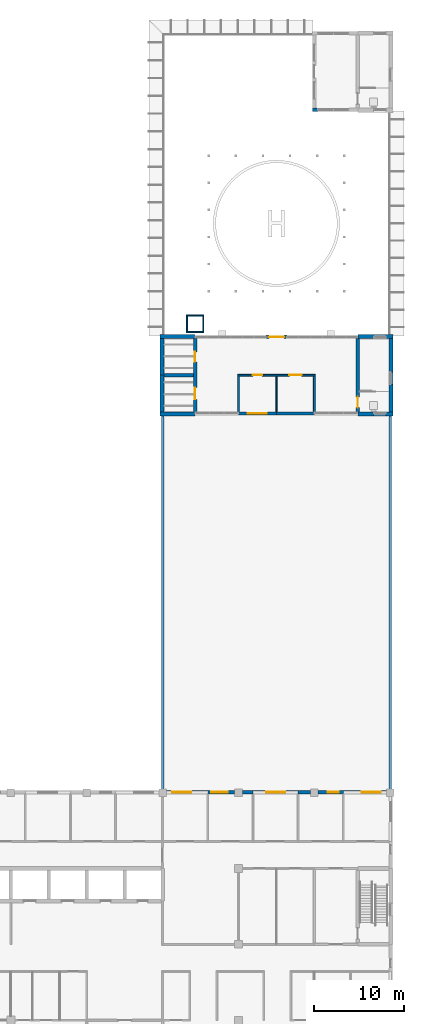
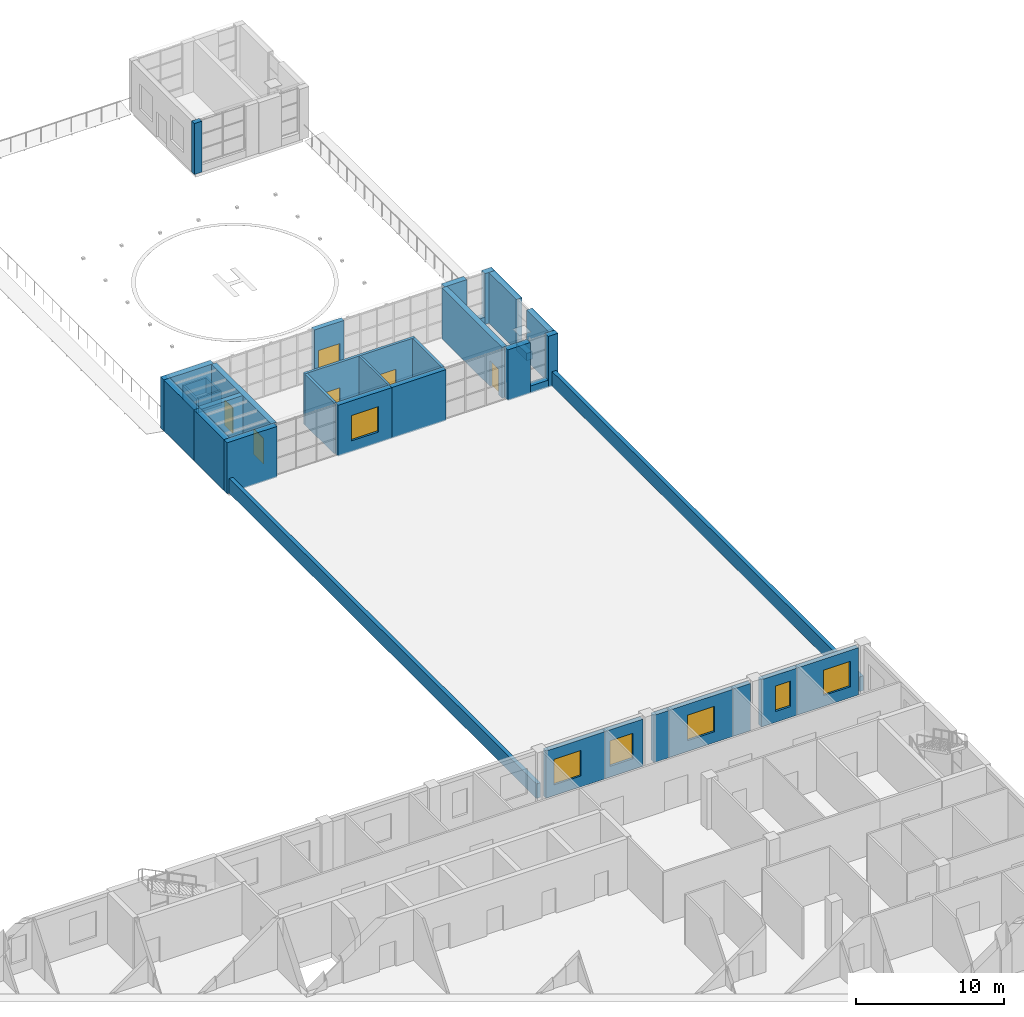
# One storey, part 49 of 66: 37 walls, 6 doors, 6 windows, 12 openings.
"""IFC4 building model written with IfcOpenShell, lengths in metres."""

from ifc_helpers import new_model, si_unit, direction, frame, frame_2d, origin, place, context, subcontext, project, spatial, rectangle, extrude, material, layer, layer_set, type_object, element, fill, save


model = new_model("IFC4")

# Units and contexts
model_context = context("Model", 3, precision=1e-05, world=origin(), true_north=direction((0.0, 1.0)))
body_context = subcontext(model_context, "Body", "Model", "MODEL_VIEW")
ifc_project = project(units=[si_unit("LENGTHUNIT", "METRE"), si_unit("AREAUNIT", "SQUARE_METRE"), si_unit("VOLUMEUNIT", "CUBIC_METRE"), si_unit("PLANEANGLEUNIT", "RADIAN"), si_unit("MASSUNIT", "GRAM", prefix="KILO")], contexts=[model_context])

# Site, building, storey
site_placement = place(None, origin())
site = spatial("IfcSite", under=ifc_project, at=site_placement, CompositionType="ELEMENT")
building_placement = place(site_placement, origin())
building = spatial("IfcBuilding", under=site, at=building_placement, Name="Yavir Park General Hospital", CompositionType="ELEMENT")
storey_placement = place(building_placement, frame((0.0, 0.0, 8.39990234375)))
storey = spatial("IfcBuildingStorey", under=building, at=storey_placement, Name="L02", CompositionType="ELEMENT", Elevation=8.39990234375)

# Wall, openings, doors
ifc_material_1 = material(Name="Double gypsum board fire partition on steel studs", Category="steel")
ifc_layer_1 = layer(ifc_material_1, 0.199951171875)
ifc_layer_set_1 = layer_set([ifc_layer_1], Name="Double gypsum board fire partition on steel studs")
wall_type_1 = type_object("IfcWallType", Name="Fire-rated partition 200, EI 60", PredefinedType="PARTITIONING", material=ifc_layer_set_1)
wall_1_placement = place(storey_placement, frame((151.10009765625, 79.800048828125, 0.0), z_axis=(0.0, 0.0, 1.0), x_axis=(1.0, 0.0, 0.0)))
wall_1 = element("IfcWall", 1, at=wall_1_placement, inside=storey, type_object=wall_type_1, Name="FP20 L02-122", PredefinedType="PARTITIONING", context=body_context, shape_type="SweptSolid", body=[
    extrude(rectangle(XDim=8.599853515625, YDim=0.199951171875, at=frame_2d((4.2998046875, 0.0))), origin(), (0.0, 0.0, 1.0), 4.2001953125),
])
opening_1_placement = place(wall_1_placement, frame((1.64990234375, 0.0, 0.0)))
opening_1 = element("IfcOpeningElement", 2, at=opening_1_placement, cuts=wall_1, Name="Opening L02.D103", PredefinedType="OPENING", context=body_context, shape_type="SweptSolid", body=[
    extrude(rectangle(XDim=1.10009765625, YDim=2.10009765625, at=frame_2d((0.550048828125, 1.050048828125))), frame((0.0, 0.10986328125, 0.0), z_axis=(0.0, -1.0, 0.0), x_axis=(1.0, 0.0, 0.0)), (0.0, 0.0, 1.0), 0.219970703125),
])
opening_2_placement = place(wall_1_placement, frame((5.699951171875, 0.0, 0.0)))
opening_2 = element("IfcOpeningElement", 3, at=opening_2_placement, cuts=wall_1, Name="Opening L02.D104", PredefinedType="OPENING", context=body_context, shape_type="SweptSolid", body=[
    extrude(rectangle(XDim=1.39990234375, YDim=2.10009765625, at=frame_2d((0.699951171875, 1.050048828125))), frame((0.0, 0.10986328125, 0.0), z_axis=(0.0, -1.0, 0.0), x_axis=(1.0, 0.0, 0.0)), (0.0, 0.0, 1.0), 0.219970703125),
])
ifc_material_2 = material(Name="Steel frame, fire-resisting timber leaves", Category="steel")
door_type_1 = type_object("IfcDoorType", Name="Double fire door 1400 x 2100, EI 60", OperationType="DOUBLE_DOOR_SINGLE_SWING", PredefinedType="DOOR", material=ifc_material_2)
door_1_placement = place(opening_2_placement, origin())
door_1 = element("IfcDoor", 4, at=door_1_placement, inside=storey, type_object=door_type_1, Name="L02.D104", OperationType="SINGLE_SWING_LEFT", OverallHeight=2.10009765625, OverallWidth=1.39990234375, PredefinedType="DOOR", context=body_context, shape_type="SweptSolid", body=[
    extrude(rectangle(XDim=1.39990234375, YDim=2.10009765625, at=frame_2d((0.699951171875, 1.050048828125))), frame((0.0, 0.02490234375, 0.0), z_axis=(0.0, -1.0, 0.0), x_axis=(1.0, 0.0, 0.0)), (0.0, 0.0, 1.0), 0.050048828125),
])
fill(opening_2, door_1)
ifc_material_3 = material(Name="Steel frame, fire-resisting timber leaf", Category="steel")
door_type_2 = type_object("IfcDoorType", Name="Fire door 1100 x 2100, EI 60", OperationType="SINGLE_SWING_LEFT", PredefinedType="DOOR", material=ifc_material_3)
door_2_placement = place(opening_1_placement, origin())
door_2 = element("IfcDoor", 5, at=door_2_placement, inside=storey, type_object=door_type_2, Name="L02.D103", OperationType="SINGLE_SWING_LEFT", OverallHeight=2.10009765625, OverallWidth=1.10009765625, PredefinedType="DOOR", context=body_context, shape_type="SweptSolid", body=[
    extrude(rectangle(XDim=1.10009765625, YDim=2.10009765625, at=frame_2d((0.550048828125, 1.050048828125))), frame((0.0, 0.02490234375, 0.0), z_axis=(0.0, -1.0, 0.0), x_axis=(1.0, 0.0, 0.0)), (0.0, 0.0, 1.0), 0.050048828125),
])
fill(opening_1, door_2)

# Walls
for number, where, z_axis, x_axis, name in (
    (6, (151.199951171875, 75.75, 0.0), (0.0, 0.0, 1.0), (0.0, 1.0, 0.0), "FP20 L02-327"),
    (7, (159.60009765625, 75.75, 0.0), (0.0, 0.0, 1.0), (0.0, 1.0, 0.0), "FP20 L02-338"),
):
    element("IfcWall", number, at=place(storey_placement, frame(where, z_axis=z_axis, x_axis=x_axis)), inside=storey, type_object=wall_type_1, Name=name, PredefinedType="PARTITIONING", context=body_context, shape_type="SweptSolid", body=[
        extrude(rectangle(XDim=3.949951171875, YDim=0.199951171875, at=frame_2d((1.97509765625, 0.0))), origin(), (0.0, 0.0, 1.0), 4.2001953125),
    ])
ifc_material_4 = material(Name="Gypsum board partition on steel studs", Category="steel")
ifc_layer_2 = layer(ifc_material_4, 0.14990234375)
ifc_layer_set_2 = layer_set([ifc_layer_2], Name="Gypsum board partition on steel studs")
wall_type_2 = type_object("IfcWallType", Name="Gypsum board partition 150", PredefinedType="PARTITIONING", material=ifc_layer_set_2)
wall_2_placement = place(storey_placement, frame((155.39990234375, 75.75, 0.0), z_axis=(0.0, 0.0, 1.0), x_axis=(0.0, 1.0, 0.0)))
element("IfcWall", 8, at=wall_2_placement, inside=storey, type_object=wall_type_2, Name="P15 L02-332", PredefinedType="PARTITIONING", context=body_context, shape_type="SweptSolid", body=[
    extrude(rectangle(XDim=3.949951171875, YDim=0.14990234375, at=frame_2d((1.97509765625, 0.0))), origin(), (0.0, 0.0, 1.0), 4.2001953125),
])

# Wall, opening, window
ifc_material_5 = material(Name="Autoclaved aerated block, 150 mm mineral wool and sand-coloured mineral render")
ifc_layer_3 = layer(ifc_material_5, 0.375)
ifc_layer_set_3 = layer_set([ifc_layer_3], Name="Autoclaved aerated block, 150 mm mineral wool and sand-coloured mineral render")
wall_type_3 = type_object("IfcWallType", Name="Mineral render clinical wall 375, E 30", PredefinedType="SOLIDWALL", material=ifc_layer_set_3)
wall_3_placement = place(storey_placement, frame((143.22509765625, 33.637451171875, 0.0), z_axis=(0.0, 0.0, 1.0), x_axis=(1.0, 0.0, 0.0)))
wall_3 = element("IfcWall", 9, at=wall_3_placement, inside=storey, type_object=wall_type_3, Name="XW1 L02-070", PredefinedType="SOLIDWALL", context=body_context, shape_type="SweptSolid", body=[
    extrude(rectangle(XDim=4.574951171875, YDim=0.375, at=frame_2d((2.28759765625, 0.0))), origin(), (0.0, 0.0, 1.0), 3.900146484375),
])
opening_3_placement = place(wall_3_placement, frame((0.625, 0.0, 0.89990234375)))
opening_3 = element("IfcOpeningElement", 10, at=opening_3_placement, cuts=wall_3, Name="Opening WI2", PredefinedType="OPENING", context=body_context, shape_type="SweptSolid", body=[
    extrude(rectangle(XDim=2.10009765625, YDim=2.10009765625, at=frame_2d((1.050048828125, 1.050048828125))), frame((0.0, 0.197509765625, 0.0), z_axis=(0.0, -1.0, 0.0), x_axis=(1.0, 0.0, 0.0)), (0.0, 0.0, 1.0), 0.39501953125),
])
ifc_material_6 = material(Name="Aluminium frame, acoustic glazed unit", Category="aluminium")
window_type_1 = type_object("IfcWindowType", Name="Tall acoustic glazed window 2100 x 2100", PartitioningType="SINGLE_PANEL", PredefinedType="WINDOW", material=ifc_material_6)
window_1_placement = place(opening_3_placement, origin())
window_1 = element("IfcWindow", 11, at=window_1_placement, inside=storey, type_object=window_type_1, Name="WI2 L02-041", OverallHeight=2.10009765625, OverallWidth=2.10009765625, PartitioningType="SINGLE_PANEL", PredefinedType="WINDOW", context=body_context, shape_type="SweptSolid", body=[
    extrude(rectangle(XDim=2.10009765625, YDim=2.10009765625, at=frame_2d((1.050048828125, 1.050048828125))), frame((0.0, 0.044921875, 0.0), z_axis=(0.0, -1.0, 0.0), x_axis=(1.0, 0.0, 0.0)), (0.0, 0.0, 1.0), 0.090087890625),
])
fill(opening_3, window_1)

wall_4_placement = place(storey_placement, frame((147.800048828125, 33.637451171875, 0.0), z_axis=(0.0, 0.0, 1.0), x_axis=(1.0, 0.0, 0.0)))
wall_4 = element("IfcWall", 12, at=wall_4_placement, inside=storey, type_object=wall_type_3, Name="XW1 L02-071", PredefinedType="SOLIDWALL", context=body_context, shape_type="SweptSolid", body=[
    extrude(rectangle(XDim=2.974853515625, YDim=0.375, at=frame_2d((1.4873046875, 0.0))), origin(), (0.0, 0.0, 1.0), 3.900146484375),
])
opening_4_placement = place(wall_4_placement, frame((0.39990234375, 0.0, 0.89990234375)))
opening_4 = element("IfcOpeningElement", 13, at=opening_4_placement, cuts=wall_4, Name="Opening WG2", PredefinedType="OPENING", context=body_context, shape_type="SweptSolid", body=[
    extrude(rectangle(XDim=1.800048828125, YDim=2.10009765625, at=frame_2d((0.89990234375, 1.050048828125))), frame((0.0, 0.197509765625, 0.0), z_axis=(0.0, -1.0, 0.0), x_axis=(1.0, 0.0, 0.0)), (0.0, 0.0, 1.0), 0.39501953125),
])
ifc_material_7 = material(Name="Aluminium frame, double glazed unit", Category="aluminium")
window_type_2 = type_object("IfcWindowType", Name="Tall single-bay window 1800 x 2100", PartitioningType="DOUBLE_PANEL_VERTICAL", PredefinedType="WINDOW", material=ifc_material_7)
window_2_placement = place(opening_4_placement, origin())
window_2 = element("IfcWindow", 14, at=window_2_placement, inside=storey, type_object=window_type_2, Name="WG2 L02-042", OverallHeight=2.10009765625, OverallWidth=1.800048828125, PartitioningType="DOUBLE_PANEL_VERTICAL", PredefinedType="WINDOW", context=body_context, shape_type="SweptSolid", body=[
    extrude(rectangle(XDim=1.800048828125, YDim=2.10009765625, at=frame_2d((0.89990234375, 1.050048828125))), frame((0.0, 0.030029296875, 0.0), z_axis=(0.0, -1.0, 0.0), x_axis=(1.0, 0.0, 0.0)), (0.0, 0.0, 1.0), 0.06005859375),
])
fill(opening_4, window_2)

# Wall
wall_5_placement = place(storey_placement, frame((151.625, 33.637451171875, 0.0), z_axis=(0.0, 0.0, 1.0), x_axis=(1.0, 0.0, 0.0)))
element("IfcWall", 15, at=wall_5_placement, inside=storey, type_object=wall_type_3, Name="XW1 L02-072", PredefinedType="SOLIDWALL", context=body_context, shape_type="SweptSolid", body=[
    extrude(rectangle(XDim=1.175048828125, YDim=0.375, at=frame_2d((0.58740234375, 0.0))), origin(), (0.0, 0.0, 1.0), 3.900146484375),
])

# Wall, opening, window
wall_6_placement = place(storey_placement, frame((152.800048828125, 33.637451171875, 0.0), z_axis=(0.0, 0.0, 1.0), x_axis=(1.0, 0.0, 0.0)))
wall_6 = element("IfcWall", 16, at=wall_6_placement, inside=storey, type_object=wall_type_3, Name="XW1 L02-073", PredefinedType="SOLIDWALL", context=body_context, shape_type="SweptSolid", body=[
    extrude(rectangle(XDim=5.0, YDim=0.375, at=frame_2d((2.5, 0.0))), origin(), (0.0, 0.0, 1.0), 3.900146484375),
])
opening_5_placement = place(wall_6_placement, frame((1.449951171875, 0.0, 0.89990234375)))
opening_5 = element("IfcOpeningElement", 17, at=opening_5_placement, cuts=wall_6, Name="Opening WI2", PredefinedType="OPENING", context=body_context, shape_type="SweptSolid", body=[
    extrude(rectangle(XDim=2.10009765625, YDim=2.10009765625, at=frame_2d((1.050048828125, 1.050048828125))), frame((0.0, 0.197509765625, 0.0), z_axis=(0.0, -1.0, 0.0), x_axis=(1.0, 0.0, 0.0)), (0.0, 0.0, 1.0), 0.39501953125),
])
window_3_placement = place(opening_5_placement, origin())
window_3 = element("IfcWindow", 18, at=window_3_placement, inside=storey, type_object=window_type_1, Name="WI2 L02-043", OverallHeight=2.10009765625, OverallWidth=2.10009765625, PartitioningType="SINGLE_PANEL", PredefinedType="WINDOW", context=body_context, shape_type="SweptSolid", body=[
    extrude(rectangle(XDim=2.10009765625, YDim=2.10009765625, at=frame_2d((1.050048828125, 1.050048828125))), frame((0.0, 0.044921875, 0.0), z_axis=(0.0, -1.0, 0.0), x_axis=(1.0, 0.0, 0.0)), (0.0, 0.0, 1.0), 0.090087890625),
])
fill(opening_5, window_3)

# Wall
wall_7_placement = place(storey_placement, frame((157.800048828125, 33.637451171875, 0.0), z_axis=(0.0, 0.0, 1.0), x_axis=(1.0, 0.0, 0.0)))
element("IfcWall", 19, at=wall_7_placement, inside=storey, type_object=wall_type_3, Name="XW1 L02-074", PredefinedType="SOLIDWALL", context=body_context, shape_type="SweptSolid", body=[
    extrude(rectangle(XDim=1.375, YDim=0.375, at=frame_2d((0.6875, 0.0))), origin(), (0.0, 0.0, 1.0), 3.900146484375),
])

# Wall, opening, window
wall_8_placement = place(storey_placement, frame((160.02490234375, 33.637451171875, 0.0), z_axis=(0.0, 0.0, 1.0), x_axis=(1.0, 0.0, 0.0)))
wall_8 = element("IfcWall", 20, at=wall_8_placement, inside=storey, type_object=wall_type_3, Name="XW1 L02-075", PredefinedType="SOLIDWALL", context=body_context, shape_type="SweptSolid", body=[
    extrude(rectangle(XDim=2.775146484375, YDim=0.375, at=frame_2d((1.3876953125, 0.0))), origin(), (0.0, 0.0, 1.0), 3.900146484375),
])
opening_6_placement = place(wall_8_placement, frame((1.074951171875, 0.0, 0.89990234375)))
opening_6 = element("IfcOpeningElement", 21, at=opening_6_placement, cuts=wall_8, Name="Opening WD2", PredefinedType="OPENING", context=body_context, shape_type="SweptSolid", body=[
    extrude(rectangle(XDim=1.199951171875, YDim=2.10009765625, at=frame_2d((0.60009765625, 1.050048828125))), frame((0.0, 0.197509765625, 0.0), z_axis=(0.0, -1.0, 0.0), x_axis=(1.0, 0.0, 0.0)), (0.0, 0.0, 1.0), 0.39501953125),
])
ifc_material_8 = material(Name="Aluminium frame, double glazed unit", Category="aluminium")
window_type_3 = type_object("IfcWindowType", Name="Tall office window 1200 x 2100", PartitioningType="SINGLE_PANEL", PredefinedType="WINDOW", material=ifc_material_8)
window_4_placement = place(opening_6_placement, origin())
window_4 = element("IfcWindow", 22, at=window_4_placement, inside=storey, type_object=window_type_3, Name="WD2 L02-044", OverallHeight=2.10009765625, OverallWidth=1.199951171875, PartitioningType="SINGLE_PANEL", PredefinedType="WINDOW", context=body_context, shape_type="SweptSolid", body=[
    extrude(rectangle(XDim=1.199951171875, YDim=2.10009765625, at=frame_2d((0.60009765625, 1.050048828125))), frame((0.0, 0.030029296875, 0.0), z_axis=(0.0, -1.0, 0.0), x_axis=(1.0, 0.0, 0.0)), (0.0, 0.0, 1.0), 0.06005859375),
])
fill(opening_6, window_4)

wall_9_placement = place(storey_placement, frame((162.800048828125, 33.637451171875, 0.0), z_axis=(0.0, 0.0, 1.0), x_axis=(1.0, 0.0, 0.0)))
wall_9 = element("IfcWall", 23, at=wall_9_placement, inside=storey, type_object=wall_type_3, Name="XW1 L02-076", PredefinedType="SOLIDWALL", context=body_context, shape_type="SweptSolid", body=[
    extrude(rectangle(XDim=4.77490234375, YDim=0.375, at=frame_2d((2.387451171875, 0.0))), origin(), (0.0, 0.0, 1.0), 3.900146484375),
])
opening_7_placement = place(wall_9_placement, frame((2.050048828125, 0.0, 0.89990234375)))
opening_7 = element("IfcOpeningElement", 24, at=opening_7_placement, cuts=wall_9, Name="Opening WI2", PredefinedType="OPENING", context=body_context, shape_type="SweptSolid", body=[
    extrude(rectangle(XDim=2.10009765625, YDim=2.10009765625, at=frame_2d((1.050048828125, 1.050048828125))), frame((0.0, 0.197509765625, 0.0), z_axis=(0.0, -1.0, 0.0), x_axis=(1.0, 0.0, 0.0)), (0.0, 0.0, 1.0), 0.39501953125),
])
window_5_placement = place(opening_7_placement, origin())
window_5 = element("IfcWindow", 25, at=window_5_placement, inside=storey, type_object=window_type_1, Name="WI2 L02-045", OverallHeight=2.10009765625, OverallWidth=2.10009765625, PartitioningType="SINGLE_PANEL", PredefinedType="WINDOW", context=body_context, shape_type="SweptSolid", body=[
    extrude(rectangle(XDim=2.10009765625, YDim=2.10009765625, at=frame_2d((1.050048828125, 1.050048828125))), frame((0.0, 0.044921875, 0.0), z_axis=(0.0, -1.0, 0.0), x_axis=(1.0, 0.0, 0.0)), (0.0, 0.0, 1.0), 0.090087890625),
])
fill(opening_7, window_5)

wall_10_placement = place(storey_placement, frame((151.199951171875, 75.5625, 0.0), z_axis=(0.0, 0.0, 1.0), x_axis=(1.0, 0.0, 0.0)))
wall_10 = element("IfcWall", 26, at=wall_10_placement, inside=storey, type_object=wall_type_3, Name="XW1 L02-078", PredefinedType="SOLIDWALL", context=body_context, shape_type="SweptSolid", body=[
    extrude(rectangle(XDim=4.199951171875, YDim=0.375, at=frame_2d((2.10009765625, 0.0))), origin(), (0.0, 0.0, 1.0), 4.2001953125),
])
opening_8_placement = place(wall_10_placement, frame((1.050048828125, 0.0, 0.89990234375)))
opening_8 = element("IfcOpeningElement", 27, at=opening_8_placement, cuts=wall_10, Name="Opening WA2", PredefinedType="OPENING", context=body_context, shape_type="SweptSolid", body=[
    extrude(rectangle(XDim=2.10009765625, YDim=2.10009765625, at=frame_2d((1.050048828125, 1.050048828125))), frame((0.0, 0.197509765625, 0.0), z_axis=(0.0, -1.0, 0.0), x_axis=(1.0, 0.0, 0.0)), (0.0, 0.0, 1.0), 0.39501953125),
])
ifc_material_9 = material(Name="Aluminium frame, double glazed unit", Category="aluminium")
window_type_4 = type_object("IfcWindowType", Name="Tall window 2100 x 2100", PartitioningType="DOUBLE_PANEL_VERTICAL", PredefinedType="WINDOW", material=ifc_material_9)
window_6_placement = place(opening_8_placement, origin())
window_6 = element("IfcWindow", 28, at=window_6_placement, inside=storey, type_object=window_type_4, Name="WA2 L02-046", OverallHeight=2.10009765625, OverallWidth=2.10009765625, PartitioningType="DOUBLE_PANEL_VERTICAL", PredefinedType="WINDOW", context=body_context, shape_type="SweptSolid", body=[
    extrude(rectangle(XDim=2.10009765625, YDim=2.10009765625, at=frame_2d((1.050048828125, 1.050048828125))), frame((0.0, 0.030029296875, 0.0), z_axis=(0.0, -1.0, 0.0), x_axis=(1.0, 0.0, 0.0)), (0.0, 0.0, 1.0), 0.06005859375),
])
fill(opening_8, window_6)

# Wall
wall_11_placement = place(storey_placement, frame((155.39990234375, 75.5625, 0.0), z_axis=(0.0, 0.0, 1.0), x_axis=(1.0, 0.0, 0.0)))
element("IfcWall", 29, at=wall_11_placement, inside=storey, type_object=wall_type_3, Name="XW1 L02-079", PredefinedType="SOLIDWALL", context=body_context, shape_type="SweptSolid", body=[
    extrude(rectangle(XDim=4.2001953125, YDim=0.375, at=frame_2d((2.10009765625, 0.0))), origin(), (0.0, 0.0, 1.0), 4.2001953125),
])

# Wall, opening, door
wall_12_placement = place(storey_placement, frame((154.25, 84.03759765625, 0.0), z_axis=(0.0, 0.0, 1.0), x_axis=(1.0, 0.0, 0.0)))
wall_12 = element("IfcWall", 30, at=wall_12_placement, inside=storey, type_object=wall_type_3, Name="XW1 L02-084", PredefinedType="SOLIDWALL", context=body_context, shape_type="SweptSolid", body=[
    extrude(rectangle(XDim=2.300048828125, YDim=0.375, at=frame_2d((1.14990234375, 0.0))), origin(), (0.0, 0.0, 1.0), 4.2001953125),
])
opening_9_placement = place(wall_12_placement, frame((0.300048828125, 0.0, 0.0)))
opening_9 = element("IfcOpeningElement", 31, at=opening_9_placement, cuts=wall_12, Name="Opening L02.X01", PredefinedType="OPENING", context=body_context, shape_type="SweptSolid", body=[
    extrude(rectangle(XDim=1.699951171875, YDim=2.39990234375, at=frame_2d((0.85009765625, 1.199951171875))), frame((0.0, 0.197509765625, 0.0), z_axis=(0.0, -1.0, 0.0), x_axis=(1.0, 0.0, 0.0)), (0.0, 0.0, 1.0), 0.39501953125),
])
ifc_material_10 = material(Name="Hollow metal frame, solid-core timber leaf", Category="wood")
door_type_3 = type_object("IfcDoorType", Name="Double swing door 1700 x 2400", OperationType="DOUBLE_DOOR_SINGLE_SWING", PredefinedType="DOOR", material=ifc_material_10)
door_3_placement = place(opening_9_placement, origin())
door_3 = element("IfcDoor", 32, at=door_3_placement, inside=storey, type_object=door_type_3, Name="L02.X01", OperationType="SINGLE_SWING_LEFT", OverallHeight=2.39990234375, OverallWidth=1.699951171875, PredefinedType="DOOR", context=body_context, shape_type="SweptSolid", body=[
    extrude(rectangle(XDim=1.699951171875, YDim=2.39990234375, at=frame_2d((0.85009765625, 1.199951171875))), frame((0.0, 0.02490234375, 0.0), z_axis=(0.0, -1.0, 0.0), x_axis=(1.0, 0.0, 0.0)), (0.0, 0.0, 1.0), 0.050048828125),
])
fill(opening_9, door_3)

# Walls
wall_13_placement = place(storey_placement, frame((159.375, 109.16259765625, 0.0), z_axis=(0.0, 0.0, 1.0), x_axis=(1.0, 0.0, 0.0)))
element("IfcWall", 33, at=wall_13_placement, inside=storey, type_object=wall_type_3, Name="XW1 L02-088", PredefinedType="SOLIDWALL", context=body_context, shape_type="SweptSolid", body=[
    extrude(rectangle(XDim=0.60009765625, YDim=0.375, at=frame_2d((0.300048828125, 0.0))), origin(), (0.0, 0.0, 1.0), 4.2001953125),
])
ifc_material_11 = material(Name="Concrete C35/45", Category="concrete")
ifc_layer_4 = layer(ifc_material_11, 0.39990234375)
ifc_layer_set_4 = layer_set([ifc_layer_4], Name="Concrete C35/45")
wall_type_4 = type_object("IfcWallType", Name="Reinforced concrete core wall 400, REI 150", PredefinedType="SHEAR", material=ifc_layer_set_4)
wall_14_placement = place(storey_placement, frame((142.949951171875, 79.800048828125, 0.0), z_axis=(0.0, 0.0, 1.0), x_axis=(1.0, 0.0, 0.0)))
element("IfcWall", 34, at=wall_14_placement, inside=storey, type_object=wall_type_4, Name="CW40 L02-121", PredefinedType="SHEAR", context=body_context, shape_type="SweptSolid", body=[
    extrude(rectangle(XDim=3.25, YDim=0.39990234375, at=frame_2d((1.625, 0.0))), origin(), (0.0, 0.0, 1.0), 4.2001953125),
])

# Wall, openings, doors
wall_15_placement = place(storey_placement, frame((146.39990234375, 75.75, 0.0), z_axis=(0.0, 0.0, 1.0), x_axis=(0.0, 1.0, 0.0)))
wall_15 = element("IfcWall", 35, at=wall_15_placement, inside=storey, type_object=wall_type_4, Name="CW40 L02-322", PredefinedType="SHEAR", context=body_context, shape_type="SweptSolid", body=[
    extrude(rectangle(XDim=8.10009765625, YDim=0.39990234375, at=frame_2d((4.050048828125, 0.0))), origin(), (0.0, 0.0, 1.0), 4.2001953125),
])
opening_10_placement = place(wall_15_placement, frame((1.375, 0.0, 0.0)))
opening_10 = element("IfcOpeningElement", 36, at=opening_10_placement, cuts=wall_15, Name="Opening L02.D188", PredefinedType="OPENING", context=body_context, shape_type="SweptSolid", body=[
    extrude(rectangle(XDim=1.300048828125, YDim=2.10009765625, at=frame_2d((0.64990234375, 1.050048828125))), frame((0.0, 0.2099609375, 0.0), z_axis=(0.0, -1.0, 0.0), x_axis=(1.0, 0.0, 0.0)), (0.0, 0.0, 1.0), 0.419921875),
])
opening_11_placement = place(wall_15_placement, frame((5.52490234375, 0.0, 0.0)))
opening_11 = element("IfcOpeningElement", 37, at=opening_11_placement, cuts=wall_15, Name="Opening L02.D189", PredefinedType="OPENING", context=body_context, shape_type="SweptSolid", body=[
    extrude(rectangle(XDim=1.10009765625, YDim=2.10009765625, at=frame_2d((0.550048828125, 1.050048828125))), frame((0.0, 0.2099609375, 0.0), z_axis=(0.0, -1.0, 0.0), x_axis=(1.0, 0.0, 0.0)), (0.0, 0.0, 1.0), 0.419921875),
])
ifc_material_12 = material(Name="Stainless steel landing door panels", Category="steel")
door_type_4 = type_object("IfcDoorType", Name="Lift landing door 1100 x 2100, EI 60", OperationType="SLIDING_TO_LEFT", PredefinedType="DOOR", material=ifc_material_12)
door_4_placement = place(opening_11_placement, origin())
door_4 = element("IfcDoor", 38, at=door_4_placement, inside=storey, type_object=door_type_4, Name="L02.D189", OperationType="SLIDING_TO_LEFT", OverallHeight=2.10009765625, OverallWidth=1.10009765625, PredefinedType="DOOR", context=body_context, shape_type="SweptSolid", body=[
    extrude(rectangle(XDim=1.10009765625, YDim=2.10009765625, at=frame_2d((0.550048828125, 1.050048828125))), frame((0.0, 0.02490234375, 0.0), z_axis=(0.0, -1.0, 0.0), x_axis=(1.0, 0.0, 0.0)), (0.0, 0.0, 1.0), 0.050048828125),
])
fill(opening_11, door_4)
ifc_material_13 = material(Name="Stainless steel landing door panels", Category="steel")
door_type_5 = type_object("IfcDoorType", Name="Lift landing door 1300 x 2100, EI 60", OperationType="SLIDING_TO_LEFT", PredefinedType="DOOR", material=ifc_material_13)
door_5_placement = place(opening_10_placement, origin())
door_5 = element("IfcDoor", 39, at=door_5_placement, inside=storey, type_object=door_type_5, Name="L02.D188", OperationType="SLIDING_TO_LEFT", OverallHeight=2.10009765625, OverallWidth=1.300048828125, PredefinedType="DOOR", context=body_context, shape_type="SweptSolid", body=[
    extrude(rectangle(XDim=1.300048828125, YDim=2.10009765625, at=frame_2d((0.64990234375, 1.050048828125))), frame((0.0, 0.02490234375, 0.0), z_axis=(0.0, -1.0, 0.0), x_axis=(1.0, 0.0, 0.0)), (0.0, 0.0, 1.0), 0.050048828125),
])
fill(opening_10, door_5)

# Wall, opening, door
wall_16_placement = place(storey_placement, frame((164.39990234375, 75.75, 0.0), z_axis=(0.0, 0.0, 1.0), x_axis=(0.0, 1.0, 0.0)))
wall_16 = element("IfcWall", 40, at=wall_16_placement, inside=storey, type_object=wall_type_4, Name="CW40 L02-343", PredefinedType="SHEAR", context=body_context, shape_type="SweptSolid", body=[
    extrude(rectangle(XDim=8.10009765625, YDim=0.39990234375, at=frame_2d((4.050048828125, 0.0))), origin(), (0.0, 0.0, 1.0), 4.2001953125),
])
opening_12_placement = place(wall_16_placement, frame((0.449951171875, 0.0, 0.0)))
opening_12 = element("IfcOpeningElement", 41, at=opening_12_placement, cuts=wall_16, Name="Opening L02.D192", PredefinedType="OPENING", context=body_context, shape_type="SweptSolid", body=[
    extrude(rectangle(XDim=1.199951171875, YDim=2.10009765625, at=frame_2d((0.60009765625, 1.050048828125))), frame((0.0, 0.2099609375, 0.0), z_axis=(0.0, -1.0, 0.0), x_axis=(1.0, 0.0, 0.0)), (0.0, 0.0, 1.0), 0.419921875),
])
ifc_material_14 = material(Name="Steel frame, fire-resisting timber leaf", Category="steel")
door_type_6 = type_object("IfcDoorType", Name="Fire door 1200 x 2100, EI 60", OperationType="SINGLE_SWING_LEFT", PredefinedType="DOOR", material=ifc_material_14)
door_6_placement = place(opening_12_placement, origin())
door_6 = element("IfcDoor", 42, at=door_6_placement, inside=storey, type_object=door_type_6, Name="L02.D192", OperationType="SINGLE_SWING_LEFT", OverallHeight=2.10009765625, OverallWidth=1.199951171875, PredefinedType="DOOR", context=body_context, shape_type="SweptSolid", body=[
    extrude(rectangle(XDim=1.199951171875, YDim=2.10009765625, at=frame_2d((0.60009765625, 1.050048828125))), frame((0.0, 0.02490234375, 0.0), z_axis=(0.0, -1.0, 0.0), x_axis=(1.0, 0.0, 0.0)), (0.0, 0.0, 1.0), 0.050048828125),
])
fill(opening_12, door_6)

# Walls
ifc_material_15 = material(Name="Concrete C30/37", Category="concrete")
ifc_layer_5 = layer(ifc_material_15, 0.14990234375)
ifc_layer_set_5 = layer_set([ifc_layer_5], Name="Concrete C30/37")
wall_type_5 = type_object("IfcWallType", Name="Roof kerb 150 x 1200", PredefinedType="STANDARD", material=ifc_layer_set_5)
for number, where, z_axis, x_axis, name in (
    (43, (145.574951171875, 84.60009765625, 0.0), (0.0, 0.0, 1.0), (1.0, 0.0, 0.0), "Roof kerb L02.X01.1"),
    (44, (147.300048828125, 84.675048828125, 0.0), (0.0, 0.0, 1.0), (0.0, 1.0, 0.0), "Roof kerb L02.X01.2"),
    (45, (147.22509765625, 86.39990234375, 0.0), (0.0, 0.0, 1.0), (-1.0, 0.0, 0.0), "Roof kerb L02.X01.3"),
    (46, (145.5, 86.324951171875, 0.0), (0.0, 0.0, 1.0), (0.0, -1.0, 0.0), "Roof kerb L02.X01.4"),
):
    element("IfcWall", number, at=place(storey_placement, frame(where, z_axis=z_axis, x_axis=x_axis)), inside=storey, type_object=wall_type_5, Name=name, PredefinedType="STANDARD", context=body_context, shape_type="SweptSolid", body=[
        extrude(rectangle(XDim=1.800048828125, YDim=0.14990234375, at=frame_2d((0.89990234375, 0.0))), origin(), (0.0, 0.0, 1.0), 1.2001953125),
    ])
ifc_material_16 = material(Name="Concrete C30/37", Category="concrete")
ifc_layer_6 = layer(ifc_material_16, 0.300048828125)
ifc_layer_set_6 = layer_set([ifc_layer_6], Name="Concrete C30/37")
wall_type_6 = type_object("IfcWallType", Name="Roof parapet 300 x 1200", PredefinedType="PARAPET", material=ifc_layer_set_6)
for number, where, z_axis, x_axis, name in (
    (47, (168.0, 33.75, 0.0), (0.0, 0.0, 1.0), (0.0, 1.0, 0.0), "Parapet L011428-336.0.0"),
    (48, (142.800048828125, 75.300048828125, 0.0), (0.0, 0.0, 1.0), (0.0, -1.0, 0.0), "Parapet L011428-336.1.0"),
):
    element("IfcWall", number, at=place(storey_placement, frame(where, z_axis=z_axis, x_axis=x_axis)), inside=storey, type_object=wall_type_6, Name=name, PredefinedType="PARAPET", context=body_context, shape_type="SweptSolid", body=[
        extrude(rectangle(XDim=41.550048828125, YDim=0.300048828125, at=frame_2d((20.77490234375, 0.0))), origin(), (0.0, 0.0, 1.0), 1.2001953125),
    ])
ifc_material_17 = material(Name="Concrete C30/37 precast panel with 150 mm mineral wool insulation", Category="concrete")
ifc_layer_7 = layer(ifc_material_17, 0.449951171875)
ifc_layer_set_7 = layer_set([ifc_layer_7], Name="Concrete C30/37 precast panel with 150 mm mineral wool insulation")
wall_type_7 = type_object("IfcWallType", Name="Stair enclosure wall 450, REI 150", PredefinedType="SOLIDWALL", material=ifc_layer_set_7)
wall_17_placement = place(storey_placement, frame((142.5, 75.52490234375, 0.0), z_axis=(0.0, 0.0, 1.0), x_axis=(1.0, 0.0, 0.0)))
element("IfcWall", 49, at=wall_17_placement, inside=storey, type_object=wall_type_7, Name="XW6 L02-077", PredefinedType="SOLIDWALL", context=body_context, shape_type="SweptSolid", body=[
    extrude(rectangle(XDim=3.89990234375, YDim=0.449951171875, at=frame_2d((1.949951171875, 0.0))), origin(), (0.0, 0.0, 1.0), 4.2001953125),
])
wall_18_placement = place(storey_placement, frame((164.39990234375, 75.52490234375, 0.0), z_axis=(0.0, 0.0, 1.0), x_axis=(1.0, 0.0, 0.0)))
element("IfcWall", 50, at=wall_18_placement, inside=storey, type_object=wall_type_7, Name="XW6 L02-080", PredefinedType="SOLIDWALL", context=body_context, shape_type="SweptSolid", body=[
    extrude(rectangle(XDim=1.75, YDim=0.449951171875, at=frame_2d((0.875, 0.0))), origin(), (0.0, 0.0, 1.0), 4.2001953125),
])
wall_19_placement = place(storey_placement, frame((167.550048828125, 75.52490234375, 0.0), z_axis=(0.0, 0.0, 1.0), x_axis=(1.0, 0.0, 0.0)))
element("IfcWall", 51, at=wall_19_placement, inside=storey, type_object=wall_type_7, Name="XW6 L02-081", PredefinedType="SOLIDWALL", context=body_context, shape_type="SweptSolid", body=[
    extrude(rectangle(XDim=0.75, YDim=0.449951171875, at=frame_2d((0.375, 0.0))), origin(), (0.0, 0.0, 1.0), 4.2001953125),
])
wall_20_placement = place(storey_placement, frame((166.14990234375, 75.52490234375, 0.0), z_axis=(0.0, 0.0, 1.0), x_axis=(1.0, 0.0, 0.0)))
element("IfcWall", 52, at=wall_20_placement, inside=storey, type_object=wall_type_7, Name="XW6 L02-082", PredefinedType="SOLIDWALL", context=body_context, shape_type="SweptSolid", body=[
    extrude(rectangle(XDim=1.400146484375, YDim=0.449951171875, at=frame_2d((0.7001953125, 0.0))), origin(), (0.0, 0.0, 1.0), 0.60009765625),
])
wall_21_placement = place(storey_placement, frame((142.5, 84.074951171875, 0.0), z_axis=(0.0, 0.0, 1.0), x_axis=(1.0, 0.0, 0.0)))
element("IfcWall", 53, at=wall_21_placement, inside=storey, type_object=wall_type_7, Name="XW6 L02-083", PredefinedType="SOLIDWALL", context=body_context, shape_type="SweptSolid", body=[
    extrude(rectangle(XDim=3.89990234375, YDim=0.449951171875, at=frame_2d((1.949951171875, 0.0))), origin(), (0.0, 0.0, 1.0), 4.2001953125),
])
wall_22_placement = place(storey_placement, frame((164.39990234375, 84.074951171875, 0.0), z_axis=(0.0, 0.0, 1.0), x_axis=(1.0, 0.0, 0.0)))
element("IfcWall", 54, at=wall_22_placement, inside=storey, type_object=wall_type_7, Name="XW6 L02-085", PredefinedType="SOLIDWALL", context=body_context, shape_type="SweptSolid", body=[
    extrude(rectangle(XDim=1.75, YDim=0.449951171875, at=frame_2d((0.875, 0.0))), origin(), (0.0, 0.0, 1.0), 4.2001953125),
])
wall_23_placement = place(storey_placement, frame((167.550048828125, 84.074951171875, 0.0), z_axis=(0.0, 0.0, 1.0), x_axis=(1.0, 0.0, 0.0)))
element("IfcWall", 55, at=wall_23_placement, inside=storey, type_object=wall_type_7, Name="XW6 L02-086", PredefinedType="SOLIDWALL", context=body_context, shape_type="SweptSolid", body=[
    extrude(rectangle(XDim=0.75, YDim=0.449951171875, at=frame_2d((0.375, 0.0))), origin(), (0.0, 0.0, 1.0), 4.2001953125),
])
wall_24_placement = place(storey_placement, frame((166.14990234375, 84.074951171875, 0.0), z_axis=(0.0, 0.0, 1.0), x_axis=(1.0, 0.0, 0.0)))
element("IfcWall", 56, at=wall_24_placement, inside=storey, type_object=wall_type_7, Name="XW6 L02-087", PredefinedType="SOLIDWALL", context=body_context, shape_type="SweptSolid", body=[
    extrude(rectangle(XDim=1.400146484375, YDim=0.449951171875, at=frame_2d((0.7001953125, 0.0))), origin(), (0.0, 0.0, 1.0), 0.60009765625),
])
for number, where, z_axis, x_axis, name in (
    (57, (142.72509765625, 75.75, 0.0), (0.0, 0.0, 1.0), (0.0, 1.0, 0.0), "XW6 L02-156"),
    (58, (142.72509765625, 79.800048828125, 0.0), (0.0, 0.0, 1.0), (0.0, 1.0, 0.0), "XW6 L02-157"),
):
    element("IfcWall", number, at=place(storey_placement, frame(where, z_axis=z_axis, x_axis=x_axis)), inside=storey, type_object=wall_type_7, Name=name, PredefinedType="SOLIDWALL", context=body_context, shape_type="SweptSolid", body=[
        extrude(rectangle(XDim=4.050048828125, YDim=0.449951171875, at=frame_2d((2.02490234375, 0.0))), origin(), (0.0, 0.0, 1.0), 4.2001953125),
    ])
wall_25_placement = place(storey_placement, frame((168.074951171875, 75.75, 0.0), z_axis=(0.0, 0.0, 1.0), x_axis=(0.0, 1.0, 0.0)))
element("IfcWall", 59, at=wall_25_placement, inside=storey, type_object=wall_type_7, Name="XW6 L02-168", PredefinedType="SOLIDWALL", context=body_context, shape_type="SweptSolid", body=[
    extrude(rectangle(XDim=3.0, YDim=0.449951171875, at=frame_2d((1.5, 0.0))), origin(), (0.0, 0.0, 1.0), 4.2001953125),
])
wall_26_placement = place(storey_placement, frame((168.074951171875, 80.14990234375, 0.0), z_axis=(0.0, 0.0, 1.0), x_axis=(0.0, 1.0, 0.0)))
element("IfcWall", 60, at=wall_26_placement, inside=storey, type_object=wall_type_7, Name="XW6 L02-169", PredefinedType="SOLIDWALL", context=body_context, shape_type="SweptSolid", body=[
    extrude(rectangle(XDim=3.7001953125, YDim=0.449951171875, at=frame_2d((1.85009765625, 0.0))), origin(), (0.0, 0.0, 1.0), 4.2001953125),
])
wall_27_placement = place(storey_placement, frame((168.074951171875, 78.75, 0.0), z_axis=(0.0, 0.0, 1.0), x_axis=(0.0, 1.0, 0.0)))
element("IfcWall", 61, at=wall_27_placement, inside=storey, type_object=wall_type_7, Name="XW6 L02-170", PredefinedType="SOLIDWALL", context=body_context, shape_type="SweptSolid", body=[
    extrude(rectangle(XDim=1.39990234375, YDim=0.449951171875, at=frame_2d((0.699951171875, 0.0))), origin(), (0.0, 0.0, 1.0), 0.60009765625),
])

save(model, "model.ifc")
